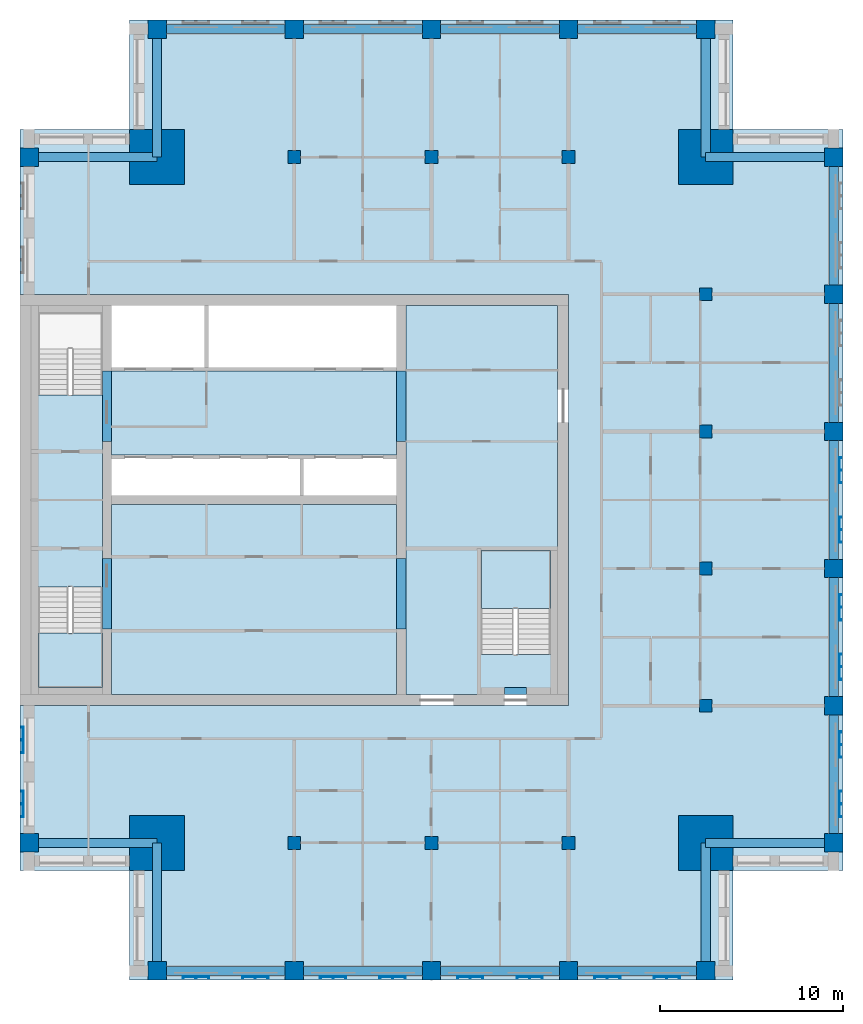
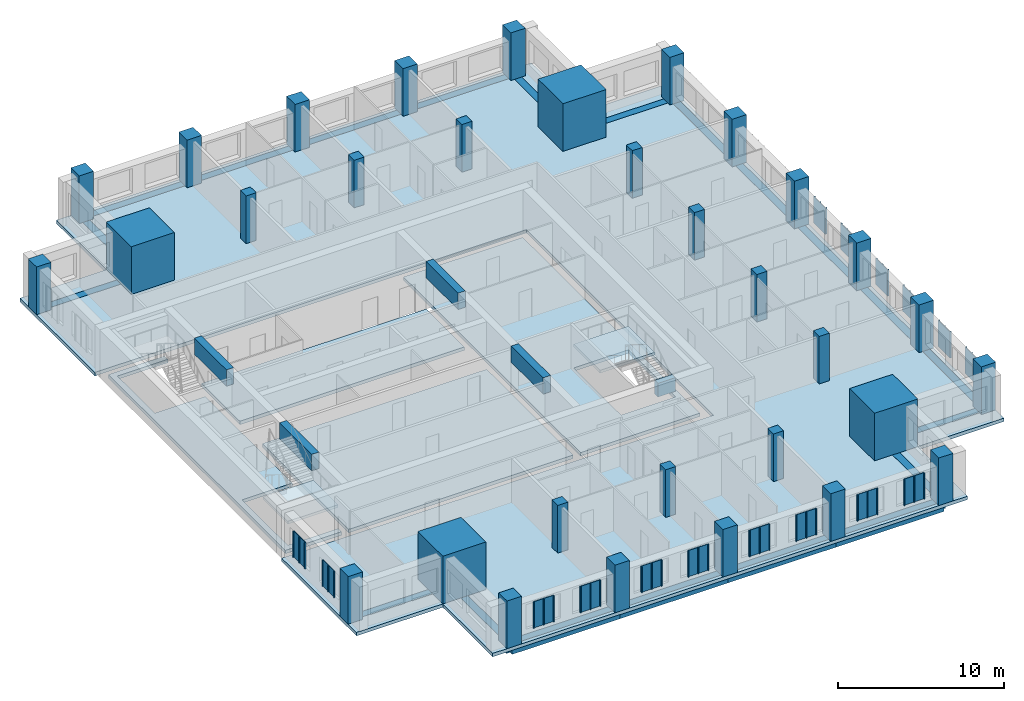
# One storey, part 1 of 10: 32 columns, 26 beams, 16 plates, 7 slabs, 2 elements without a shape of their own.
"""IFC4 building model written with IfcOpenShell, lengths in metres."""

from ifc_helpers import new_model, si_unit, direction, frame, origin, origin_2d, place, context, subcontext, project, spatial, polyline, rectangle, outline, extrude, material, layer, layer_set, material_profile, profile_set, type_object, element, aggregate, save


model = new_model("IFC4")

# Units and contexts
model_context = context("Model", 3, precision=1e-05, world=origin(), true_north=direction((0.0, 1.0)))
body_context = subcontext(model_context, "Body", "Model", "MODEL_VIEW")
ifc_project = project(units=[si_unit("LENGTHUNIT", "METRE"), si_unit("AREAUNIT", "SQUARE_METRE"), si_unit("VOLUMEUNIT", "CUBIC_METRE"), si_unit("PLANEANGLEUNIT", "RADIAN"), si_unit("MASSUNIT", "GRAM", prefix="KILO")], contexts=[model_context])

# Site, building, storey
site_placement = place(None, origin())
site = spatial("IfcSite", under=ifc_project, at=site_placement, CompositionType="ELEMENT")
building_placement = place(site_placement, origin())
building = spatial("IfcBuilding", under=site, at=building_placement, Name="Tamorin Gate", CompositionType="ELEMENT")
storey_placement = place(building_placement, frame((0.0, 0.0, 273.199951171875)))
storey = spatial("IfcBuildingStorey", under=building, at=storey_placement, Name="L68", CompositionType="ELEMENT", Elevation=273.199951171875)

# Columns
ifc_material_1 = material(Name="Concrete C50/60", Category="concrete")
ifc_material_profile_1 = material_profile(ifc_material_1, rectangle(XDim=1.0, YDim=1.0, at=origin_2d()), Name="RC 1000x1000")
ifc_profile_set_1 = profile_set([ifc_material_profile_1], Name="Concrete C50/60")
column_type_1 = type_object("IfcColumnType", Name="RC column 1000x1000 C50/60", PredefinedType="COLUMN", material=ifc_profile_set_1)
for number, where, z_axis, x_axis, name in (
    (1, (30.5, 52.5, 0.0), (0.0, 0.0, 1.0), (1.0, 0.0, 0.0), "Ring column L68"),
    (2, (30.5, 90.0, 0.0), (0.0, 0.0, 1.0), (1.0, 0.0, 0.0), "Ring column L68"),
    (3, (37.5, 45.5, 0.0), (0.0, 0.0, 1.0), (1.0, 0.0, 0.0), "Ring column L68"),
    (4, (37.5, 97.0, 0.0), (0.0, 0.0, 1.0), (1.0, 0.0, 0.0), "Ring column L68"),
    (5, (45.0, 45.5, 0.0), (0.0, 0.0, 1.0), (1.0, 0.0, 0.0), "Ring column L68"),
    (6, (45.0, 97.0, 0.0), (0.0, 0.0, 1.0), (1.0, 0.0, 0.0), "Ring column L68"),
    (7, (52.5, 45.5, 0.0), (0.0, 0.0, 1.0), (1.0, 0.0, 0.0), "Ring column L68"),
    (8, (52.5, 97.0, 0.0), (0.0, 0.0, 1.0), (1.0, 0.0, 0.0), "Ring column L68"),
    (9, (60.0, 45.5, 0.0), (0.0, 0.0, 1.0), (1.0, 0.0, 0.0), "Ring column L68"),
    (10, (60.0, 97.0, 0.0), (0.0, 0.0, 1.0), (1.0, 0.0, 0.0), "Ring column L68"),
    (11, (67.5, 45.5, 0.0), (0.0, 0.0, 1.0), (1.0, 0.0, 0.0), "Ring column L68"),
    (12, (67.5, 97.0, 0.0), (0.0, 0.0, 1.0), (1.0, 0.0, 0.0), "Ring column L68"),
    (13, (74.5, 52.5, 0.0), (0.0, 0.0, 1.0), (1.0, 0.0, 0.0), "Ring column L68"),
    (14, (74.5, 60.0, 0.0), (0.0, 0.0, 1.0), (1.0, 0.0, 0.0), "Ring column L68"),
    (15, (74.5, 67.5, 0.0), (0.0, 0.0, 1.0), (1.0, 0.0, 0.0), "Ring column L68"),
    (16, (74.5, 75.0, 0.0), (0.0, 0.0, 1.0), (1.0, 0.0, 0.0), "Ring column L68"),
    (17, (74.5, 82.5, 0.0), (0.0, 0.0, 1.0), (1.0, 0.0, 0.0), "Ring column L68"),
    (18, (74.5, 90.0, 0.0), (0.0, 0.0, 1.0), (1.0, 0.0, 0.0), "Ring column L68"),
):
    element("IfcColumn", number, at=place(storey_placement, frame(where, z_axis=z_axis, x_axis=x_axis)), inside=storey, type_object=column_type_1, Name=name, PredefinedType="COLUMN", context=body_context, shape_type="SweptSolid", body=[
        extrude(rectangle(XDim=1.0, YDim=1.0, at=origin_2d()), origin(), (0.0, 0.0, 1.0), 3.5),
    ])
ifc_material_profile_2 = material_profile(ifc_material_1, rectangle(XDim=3.0, YDim=3.0, at=origin_2d()), Name="RC 3000x3000")
ifc_profile_set_2 = profile_set([ifc_material_profile_2], Name="Concrete C50/60")
column_type_2 = type_object("IfcColumnType", Name="RC column 3000x3000 C50/60", PredefinedType="COLUMN", material=ifc_profile_set_2)
for number, where, z_axis, x_axis, name in (
    (19, (37.5, 52.5, 0.0), (0.0, 0.0, 1.0), (1.0, 0.0, 0.0), "Mega column SW L68"),
    (20, (67.5, 52.5, 0.0), (0.0, 0.0, 1.0), (1.0, 0.0, 0.0), "Mega column SE L68"),
    (21, (37.5, 90.0, 0.0), (0.0, 0.0, 1.0), (1.0, 0.0, 0.0), "Mega column NW L68"),
    (22, (67.5, 90.0, 0.0), (0.0, 0.0, 1.0), (1.0, 0.0, 0.0), "Mega column NE L68"),
):
    element("IfcColumn", number, at=place(storey_placement, frame(where, z_axis=z_axis, x_axis=x_axis)), inside=storey, type_object=column_type_2, Name=name, PredefinedType="COLUMN", context=body_context, shape_type="SweptSolid", body=[
        extrude(rectangle(XDim=3.0, YDim=3.0, at=origin_2d()), origin(), (0.0, 0.0, 1.0), 3.5),
    ])
ifc_material_profile_3 = material_profile(ifc_material_1, rectangle(XDim=0.699951171875, YDim=0.699951171875, at=origin_2d()), Name="RC 700x700")
ifc_profile_set_3 = profile_set([ifc_material_profile_3], Name="Concrete C50/60")
column_type_3 = type_object("IfcColumnType", Name="RC column 700x700 C50/60", PredefinedType="COLUMN", material=ifc_profile_set_3)
for number, where, z_axis, x_axis, name in (
    (23, (45.0, 52.5, 0.0), (0.0, 0.0, 1.0), (1.0, 0.0, 0.0), "Interior column L68"),
    (24, (45.0, 90.0, 0.0), (0.0, 0.0, 1.0), (1.0, 0.0, 0.0), "Interior column L68"),
    (25, (52.5, 52.5, 0.0), (0.0, 0.0, 1.0), (1.0, 0.0, 0.0), "Interior column L68"),
    (26, (52.5, 90.0, 0.0), (0.0, 0.0, 1.0), (1.0, 0.0, 0.0), "Interior column L68"),
    (27, (60.0, 52.5, 0.0), (0.0, 0.0, 1.0), (1.0, 0.0, 0.0), "Interior column L68"),
    (28, (60.0, 90.0, 0.0), (0.0, 0.0, 1.0), (1.0, 0.0, 0.0), "Interior column L68"),
    (29, (67.5, 60.0, 0.0), (0.0, 0.0, 1.0), (1.0, 0.0, 0.0), "Interior column L68"),
    (30, (67.5, 67.5, 0.0), (0.0, 0.0, 1.0), (1.0, 0.0, 0.0), "Interior column L68"),
    (31, (67.5, 75.0, 0.0), (0.0, 0.0, 1.0), (1.0, 0.0, 0.0), "Interior column L68"),
    (32, (67.5, 82.5, 0.0), (0.0, 0.0, 1.0), (1.0, 0.0, 0.0), "Interior column L68"),
):
    element("IfcColumn", number, at=place(storey_placement, frame(where, z_axis=z_axis, x_axis=x_axis)), inside=storey, type_object=column_type_3, Name=name, PredefinedType="COLUMN", context=body_context, shape_type="SweptSolid", body=[
        extrude(rectangle(XDim=0.699951171875, YDim=0.699951171875, at=origin_2d()), origin(), (0.0, 0.0, 1.0), 3.5),
    ])

# Beams
ifc_material_profile_4 = material_profile(ifc_material_1, rectangle(XDim=0.5, YDim=1.199951171875, at=origin_2d()), Name="RC 500x1200")
ifc_profile_set_4 = profile_set([ifc_material_profile_4], Name="Concrete C50/60")
beam_type_1 = type_object("IfcBeamType", Name="RC coupling beam 500x1200 C50/60", PredefinedType="BEAM", material=ifc_profile_set_4)
for number, where, z_axis, x_axis, name in (
    (33, (34.75, 64.199951171875, 2.900146484375), (0.0, 1.0, 0.0), (-1.0, 0.0, 0.0), "Coupling beam L68"),
    (34, (34.75, 74.449951171875, 2.900146484375), (0.0, 1.0, 0.0), (-1.0, 0.0, 0.0), "Coupling beam L68"),
    (35, (50.85009765625, 64.199951171875, 2.900146484375), (0.0, 1.0, 0.0), (-1.0, 0.0, 0.0), "Coupling beam L68"),
    (36, (50.85009765625, 74.449951171875, 2.900146484375), (0.0, 1.0, 0.0), (-1.0, 0.0, 0.0), "Coupling beam L68"),
):
    element("IfcBeam", number, at=place(storey_placement, frame(where, z_axis=z_axis, x_axis=x_axis)), inside=storey, type_object=beam_type_1, Name=name, PredefinedType="BEAM", context=body_context, shape_type="SweptSolid", body=[
        extrude(rectangle(XDim=0.5, YDim=1.199951171875, at=origin_2d()), origin(), (0.0, 0.0, 1.0), 3.85009765625),
    ])
ifc_material_profile_5 = material_profile(ifc_material_1, rectangle(XDim=0.5, YDim=0.75, at=origin_2d()), Name="RC 500x750")
ifc_profile_set_5 = profile_set([ifc_material_profile_5], Name="Concrete C50/60")
beam_type_2 = type_object("IfcBeamType", Name="RC spandrel 500x750 C50/60", PredefinedType="BEAM", material=ifc_profile_set_5)
for number, where, z_axis, x_axis, name in (
    (37, (37.5, 45.5, -0.375), (1.0, 0.0, 0.0), (0.0, 1.0, 0.0), "Spandrel beam L68"),
    (38, (45.0, 45.5, -0.375), (1.0, 0.0, 0.0), (0.0, 1.0, 0.0), "Spandrel beam L68"),
    (39, (52.5, 45.5, -0.375), (1.0, 0.0, 0.0), (0.0, 1.0, 0.0), "Spandrel beam L68"),
    (40, (60.0, 45.5, -0.375), (1.0, 0.0, 0.0), (0.0, 1.0, 0.0), "Spandrel beam L68"),
    (41, (74.5, 52.5, -0.375), (0.0, 1.0, 0.0), (-1.0, 0.0, 0.0), "Spandrel beam L68"),
    (42, (74.5, 60.0, -0.375), (0.0, 1.0, 0.0), (-1.0, 0.0, 0.0), "Spandrel beam L68"),
    (43, (74.5, 67.5, -0.375), (0.0, 1.0, 0.0), (-1.0, 0.0, 0.0), "Spandrel beam L68"),
    (44, (74.5, 75.0, -0.375), (0.0, 1.0, 0.0), (-1.0, 0.0, 0.0), "Spandrel beam L68"),
    (45, (74.5, 82.5, -0.375), (0.0, 1.0, 0.0), (-1.0, 0.0, 0.0), "Spandrel beam L68"),
    (46, (67.5, 97.0, -0.375), (-1.0, 0.0, 0.0), (0.0, -1.0, 0.0), "Spandrel beam L68"),
    (47, (60.0, 97.0, -0.375), (-1.0, 0.0, 0.0), (0.0, -1.0, 0.0), "Spandrel beam L68"),
    (48, (52.5, 97.0, -0.375), (-1.0, 0.0, 0.0), (0.0, -1.0, 0.0), "Spandrel beam L68"),
    (49, (45.0, 97.0, -0.375), (-1.0, 0.0, 0.0), (0.0, -1.0, 0.0), "Spandrel beam L68"),
):
    element("IfcBeam", number, at=place(storey_placement, frame(where, z_axis=z_axis, x_axis=x_axis)), inside=storey, type_object=beam_type_2, Name=name, PredefinedType="BEAM", context=body_context, shape_type="SweptSolid", body=[
        extrude(rectangle(XDim=0.5, YDim=0.75, at=origin_2d()), origin(), (0.0, 0.0, 1.0), 7.5),
    ])
for number, where, z_axis, x_axis, name in (
    (50, (37.5, 52.5, -0.375), (-1.0, 0.0, 0.0), (0.0, -1.0, 0.0), "Corner tie beam L68"),
    (51, (37.5, 52.5, -0.375), (0.0, -1.0, 0.0), (1.0, 0.0, 0.0), "Corner tie beam L68"),
    (52, (67.5, 52.5, -0.375), (0.0, -1.0, 0.0), (1.0, 0.0, 0.0), "Corner tie beam L68"),
    (53, (67.5, 52.5, -0.375), (1.0, 0.0, 0.0), (0.0, 1.0, 0.0), "Corner tie beam L68"),
    (54, (37.5, 90.0, -0.375), (-1.0, 0.0, 0.0), (0.0, -1.0, 0.0), "Corner tie beam L68"),
    (55, (37.5, 90.0, -0.375), (0.0, 1.0, 0.0), (-1.0, 0.0, 0.0), "Corner tie beam L68"),
    (56, (67.5, 90.0, -0.375), (0.0, 1.0, 0.0), (-1.0, 0.0, 0.0), "Corner tie beam L68"),
    (57, (67.5, 90.0, -0.375), (1.0, 0.0, 0.0), (0.0, 1.0, 0.0), "Corner tie beam L68"),
):
    element("IfcBeam", number, at=place(storey_placement, frame(where, z_axis=z_axis, x_axis=x_axis)), inside=storey, type_object=beam_type_2, Name=name, PredefinedType="BEAM", context=body_context, shape_type="SweptSolid", body=[
        extrude(rectangle(XDim=0.5, YDim=0.75, at=origin_2d()), origin(), (0.0, 0.0, 1.0), 7.0),
    ])
ifc_material_profile_6 = material_profile(ifc_material_1, rectangle(XDim=0.39990234375, YDim=1.0, at=origin_2d()))
ifc_profile_set_6 = profile_set([ifc_material_profile_6], Name="Concrete C50/60")
beam_type_3 = type_object("IfcBeamType", Name="Stair lintel 400x1000 C50/60", PredefinedType="BEAM", material=ifc_profile_set_6)
beam_placement = place(storey_placement, frame((56.5, 60.800048828125, 2.699951171875), z_axis=(1.0, 0.0, 0.0), x_axis=(0.0, 1.0, 0.0)))
element("IfcBeam", 58, at=beam_placement, inside=storey, type_object=beam_type_3, Name="Stair lintel", PredefinedType="BEAM", context=body_context, shape_type="SweptSolid", body=[
    extrude(rectangle(XDim=0.39990234375, YDim=1.0, at=origin_2d()), origin(), (0.0, 0.0, 1.0), 1.199951171875),
])

# Slabs
ifc_material_2 = material(Name="Concrete C40/50", Category="concrete")
ifc_layer_1 = layer(ifc_material_2, 0.25)
ifc_layer_set_1 = layer_set([ifc_layer_1], Name="Core floor slab 250 C40/50")
slab_type_1 = type_object("IfcSlabType", Name="Core floor slab 250 C40/50", PredefinedType="FLOOR", material=ifc_layer_set_1)
slab_1_placement = place(storey_placement, frame((0.0, 0.0, -0.25)))
element("IfcSlab", 59, at=slab_1_placement, inside=storey, type_object=slab_type_1, Name="Core floor L68", PredefinedType="FLOOR", context=body_context, shape_type="SweptSolid", body=[
    extrude(outline(polyline([(51.10009765625, 81.89990234375), (59.39990234375, 81.89990234375), (59.39990234375, 60.60009765625), (51.10009765625, 60.60009765625), (51.10009765625, 81.89990234375)]), holes=[polyline([(55.199951171875, 62.800048828125), (59.0, 62.800048828125), (59.0, 68.5), (55.199951171875, 68.5), (55.199951171875, 62.800048828125)])]), origin(), (0.0, 0.0, 1.0), 0.25),
])
slab_2_placement = place(storey_placement, frame((0.0, 0.0, -0.25)))
element("IfcSlab", 60, at=slab_2_placement, inside=storey, type_object=slab_type_1, Name="Core floor L68", PredefinedType="FLOOR", context=body_context, shape_type="SweptSolid", body=[
    extrude(outline(polyline([(50.60009765625, 71.0), (50.60009765625, 60.60009765625), (35.0, 60.60009765625), (35.0, 71.0), (50.60009765625, 71.0)])), origin(), (0.0, 0.0, 1.0), 0.25),
])
slab_3_placement = place(storey_placement, frame((0.0, 0.0, -0.25)))
element("IfcSlab", 61, at=slab_3_placement, inside=storey, type_object=slab_type_1, Name="Core floor L68", PredefinedType="FLOOR", context=body_context, shape_type="SweptSolid", body=[
    extrude(outline(polyline([(50.60009765625, 73.699951171875), (35.0, 73.699951171875), (35.0, 78.300048828125), (50.60009765625, 78.300048828125), (50.60009765625, 73.699951171875)])), origin(), (0.0, 0.0, 1.0), 0.25),
])
slab_4_placement = place(storey_placement, frame((0.0, 0.0, -0.25)))
element("IfcSlab", 62, at=slab_4_placement, inside=storey, type_object=slab_type_1, Name="Core floor L68", PredefinedType="FLOOR", context=body_context, shape_type="SweptSolid", body=[
    extrude(outline(polyline([(34.5, 60.60009765625), (30.60009765625, 60.60009765625), (30.60009765625, 81.89990234375), (34.5, 81.89990234375), (34.5, 81.5), (31.0, 81.5), (31.0, 77.0), (34.5, 77.0), (34.5, 66.5), (31.0, 66.5), (31.0, 61.0), (34.5, 61.0), (34.5, 60.60009765625)])), origin(), (0.0, 0.0, 1.0), 0.25),
])

# Stair, slab
stair_type = type_object("IfcStairType", Name="Exit stair", PredefinedType="HALF_TURN_STAIR", material=ifc_material_2)
stair_1_placement = place(storey_placement, origin())
stair_1 = element("IfcStair", 63, at=stair_1_placement, inside=storey, type_object=stair_type, Name="L68 stair ST1", PredefinedType="HALF_TURN_STAIR")
ifc_layer_2 = layer(ifc_material_2, 0.199951171875)
ifc_layer_set_2 = layer_set([ifc_layer_2], Name="Exit stair landing 200")
slab_type_2 = type_object("IfcSlabType", Name="Exit stair landing 200", PredefinedType="LANDING", material=ifc_layer_set_2)
slab_5_placement = place(storey_placement, frame((0.0, 0.0, 1.550048828125)))
slab_5 = element("IfcSlab", 64, at=slab_5_placement, type_object=slab_type_2, Name="ST1 landing 1", PredefinedType="LANDING", context=body_context, shape_type="SweptSolid", body=[
    extrude(outline(polyline([(31.0, 63.97998046875), (31.0, 61.0), (34.5, 61.0), (34.5, 63.97998046875), (31.0, 63.97998046875)])), origin(), (0.0, 0.0, 1.0), 0.199951171875),
])
aggregate(stair_1, [slab_5])

stair_2_placement = place(storey_placement, origin())
stair_2 = element("IfcStair", 65, at=stair_2_placement, inside=storey, type_object=stair_type, Name="L68 stair ST3", PredefinedType="HALF_TURN_STAIR")
slab_6_placement = place(storey_placement, frame((0.0, 0.0, 1.550048828125)))
slab_6 = element("IfcSlab", 66, at=slab_6_placement, type_object=slab_type_2, Name="ST3 landing 1", PredefinedType="LANDING", context=body_context, shape_type="SweptSolid", body=[
    extrude(outline(polyline([(59.0, 65.320068359375), (59.0, 68.5), (55.199951171875, 68.5), (55.199951171875, 65.320068359375), (59.0, 65.320068359375)])), origin(), (0.0, 0.0, 1.0), 0.199951171875),
])
aggregate(stair_2, [slab_6])

# Slab
ifc_layer_3 = layer(ifc_material_2, 0.25)
ifc_layer_set_3 = layer_set([ifc_layer_3], Name="Floor slab 250 C40/50")
slab_type_3 = type_object("IfcSlabType", Name="Floor slab 250 C40/50", PredefinedType="FLOOR", material=ifc_layer_set_3)
slab_7_placement = place(storey_placement, frame((0.0, 0.0, -0.25)))
element("IfcSlab", 67, at=slab_7_placement, inside=storey, type_object=slab_type_3, Name="Floor L68", PredefinedType="FLOOR", context=body_context, shape_type="SweptSolid", body=[
    extrude(outline(polyline([(30.0, 91.5), (36.0, 91.5), (36.0, 97.5), (69.0, 97.5), (69.0, 91.5), (75.0, 91.5), (75.0, 51.0), (69.0, 51.0), (69.0, 45.0), (36.0, 45.0), (36.0, 51.0), (30.0, 51.0), (30.0, 60.0), (60.0, 60.0), (60.0, 82.5), (30.0, 82.5), (30.0, 91.5)])), origin(), (0.0, 0.0, 1.0), 0.25),
])

# Plates
ifc_material_3 = material(Name="Perforated pale aluminium sheet", Category="aluminium")
ifc_layer_4 = layer(ifc_material_3, 0.0400390625)
ifc_layer_set_4 = layer_set([ifc_layer_4], Name="Pale metal solar screen 1440")
plate_type = type_object("IfcPlateType", Name="Pale metal solar screen 1440", PredefinedType="SHEET", material=ifc_layer_set_4)
plate_1_placement = place(storey_placement, frame((0.0, 0.0, 0.737548828125)))
element("IfcPlate", 68, at=plate_1_placement, inside=storey, type_object=plate_type, Name="Perforated solar screen", PredefinedType="SHEET", context=body_context, shape_type="SweptSolid", body=[
    extrude(outline(polyline([(38.905029296875, 45.159912109375), (38.905029296875, 45.199951171875), (38.965087890625, 45.199951171875), (39.594970703125, 45.199951171875), (39.655029296875, 45.199951171875), (40.284912109375, 45.199951171875), (40.344970703125, 45.199951171875), (40.344970703125, 45.199951171875), (40.344970703125, 45.159912109375), (40.344970703125, 45.159912109375), (40.344970703125, 45.10009765625), (40.284912109375, 45.10009765625), (40.284912109375, 45.159912109375), (39.655029296875, 45.159912109375), (39.655029296875, 45.10009765625), (39.594970703125, 45.10009765625), (39.594970703125, 45.159912109375), (38.965087890625, 45.159912109375), (38.965087890625, 45.10009765625), (38.905029296875, 45.10009765625), (38.905029296875, 45.159912109375)])), origin(), (0.0, 0.0, 1.0), 1.925048828125),
])
plate_2_placement = place(storey_placement, frame((0.0, 0.0, 0.737548828125)))
element("IfcPlate", 69, at=plate_2_placement, inside=storey, type_object=plate_type, Name="Perforated solar screen", PredefinedType="SHEET", context=body_context, shape_type="SweptSolid", body=[
    extrude(outline(polyline([(42.155029296875, 45.159912109375), (42.155029296875, 45.199951171875), (42.215087890625, 45.199951171875), (42.844970703125, 45.199951171875), (42.905029296875, 45.199951171875), (43.534912109375, 45.199951171875), (43.594970703125, 45.199951171875), (43.594970703125, 45.199951171875), (43.594970703125, 45.159912109375), (43.594970703125, 45.159912109375), (43.594970703125, 45.10009765625), (43.534912109375, 45.10009765625), (43.534912109375, 45.159912109375), (42.905029296875, 45.159912109375), (42.905029296875, 45.10009765625), (42.844970703125, 45.10009765625), (42.844970703125, 45.159912109375), (42.215087890625, 45.159912109375), (42.215087890625, 45.10009765625), (42.155029296875, 45.10009765625), (42.155029296875, 45.159912109375)])), origin(), (0.0, 0.0, 1.0), 1.925048828125),
])
plate_3_placement = place(storey_placement, frame((0.0, 0.0, 0.737548828125)))
element("IfcPlate", 70, at=plate_3_placement, inside=storey, type_object=plate_type, Name="Perforated solar screen", PredefinedType="SHEET", context=body_context, shape_type="SweptSolid", body=[
    extrude(outline(polyline([(46.405029296875, 45.159912109375), (46.405029296875, 45.199951171875), (46.465087890625, 45.199951171875), (47.094970703125, 45.199951171875), (47.155029296875, 45.199951171875), (47.784912109375, 45.199951171875), (47.844970703125, 45.199951171875), (47.844970703125, 45.159912109375), (47.844970703125, 45.10009765625), (47.784912109375, 45.10009765625), (47.784912109375, 45.159912109375), (47.155029296875, 45.159912109375), (47.155029296875, 45.10009765625), (47.094970703125, 45.10009765625), (47.094970703125, 45.159912109375), (46.465087890625, 45.159912109375), (46.465087890625, 45.10009765625), (46.405029296875, 45.10009765625), (46.405029296875, 45.159912109375)])), origin(), (0.0, 0.0, 1.0), 1.925048828125),
])
plate_4_placement = place(storey_placement, frame((0.0, 0.0, 0.737548828125)))
element("IfcPlate", 71, at=plate_4_placement, inside=storey, type_object=plate_type, Name="Perforated solar screen", PredefinedType="SHEET", context=body_context, shape_type="SweptSolid", body=[
    extrude(outline(polyline([(49.655029296875, 45.159912109375), (49.655029296875, 45.199951171875), (49.715087890625, 45.199951171875), (50.344970703125, 45.199951171875), (50.405029296875, 45.199951171875), (51.034912109375, 45.199951171875), (51.094970703125, 45.199951171875), (51.094970703125, 45.159912109375), (51.094970703125, 45.10009765625), (51.034912109375, 45.10009765625), (51.034912109375, 45.159912109375), (50.405029296875, 45.159912109375), (50.405029296875, 45.10009765625), (50.344970703125, 45.10009765625), (50.344970703125, 45.159912109375), (49.715087890625, 45.159912109375), (49.715087890625, 45.10009765625), (49.655029296875, 45.10009765625), (49.655029296875, 45.159912109375)])), origin(), (0.0, 0.0, 1.0), 1.925048828125),
])
plate_5_placement = place(storey_placement, frame((0.0, 0.0, 0.737548828125)))
element("IfcPlate", 72, at=plate_5_placement, inside=storey, type_object=plate_type, Name="Perforated solar screen", PredefinedType="SHEET", context=body_context, shape_type="SweptSolid", body=[
    extrude(outline(polyline([(53.905029296875, 45.159912109375), (53.905029296875, 45.199951171875), (53.965087890625, 45.199951171875), (54.594970703125, 45.199951171875), (54.655029296875, 45.199951171875), (55.284912109375, 45.199951171875), (55.344970703125, 45.199951171875), (55.344970703125, 45.159912109375), (55.344970703125, 45.10009765625), (55.284912109375, 45.10009765625), (55.284912109375, 45.159912109375), (54.655029296875, 45.159912109375), (54.655029296875, 45.10009765625), (54.594970703125, 45.10009765625), (54.594970703125, 45.159912109375), (53.965087890625, 45.159912109375), (53.965087890625, 45.10009765625), (53.905029296875, 45.10009765625), (53.905029296875, 45.159912109375)])), origin(), (0.0, 0.0, 1.0), 1.925048828125),
])
plate_6_placement = place(storey_placement, frame((0.0, 0.0, 0.737548828125)))
element("IfcPlate", 73, at=plate_6_placement, inside=storey, type_object=plate_type, Name="Perforated solar screen", PredefinedType="SHEET", context=body_context, shape_type="SweptSolid", body=[
    extrude(outline(polyline([(57.155029296875, 45.159912109375), (57.155029296875, 45.199951171875), (57.215087890625, 45.199951171875), (57.844970703125, 45.199951171875), (57.905029296875, 45.199951171875), (58.534912109375, 45.199951171875), (58.594970703125, 45.199951171875), (58.594970703125, 45.159912109375), (58.594970703125, 45.10009765625), (58.534912109375, 45.10009765625), (58.534912109375, 45.159912109375), (57.905029296875, 45.159912109375), (57.905029296875, 45.10009765625), (57.844970703125, 45.10009765625), (57.844970703125, 45.159912109375), (57.215087890625, 45.159912109375), (57.215087890625, 45.10009765625), (57.155029296875, 45.10009765625), (57.155029296875, 45.159912109375)])), origin(), (0.0, 0.0, 1.0), 1.925048828125),
])
plate_7_placement = place(storey_placement, frame((0.0, 0.0, 0.737548828125)))
element("IfcPlate", 74, at=plate_7_placement, inside=storey, type_object=plate_type, Name="Perforated solar screen", PredefinedType="SHEET", context=body_context, shape_type="SweptSolid", body=[
    extrude(outline(polyline([(61.405029296875, 45.159912109375), (61.405029296875, 45.199951171875), (61.465087890625, 45.199951171875), (62.094970703125, 45.199951171875), (62.155029296875, 45.199951171875), (62.784912109375, 45.199951171875), (62.844970703125, 45.199951171875), (62.844970703125, 45.159912109375), (62.844970703125, 45.10009765625), (62.784912109375, 45.10009765625), (62.784912109375, 45.159912109375), (62.155029296875, 45.159912109375), (62.155029296875, 45.10009765625), (62.094970703125, 45.10009765625), (62.094970703125, 45.159912109375), (61.465087890625, 45.159912109375), (61.465087890625, 45.10009765625), (61.405029296875, 45.10009765625), (61.405029296875, 45.159912109375)])), origin(), (0.0, 0.0, 1.0), 1.925048828125),
])
plate_8_placement = place(storey_placement, frame((0.0, 0.0, 0.737548828125)))
element("IfcPlate", 75, at=plate_8_placement, inside=storey, type_object=plate_type, Name="Perforated solar screen", PredefinedType="SHEET", context=body_context, shape_type="SweptSolid", body=[
    extrude(outline(polyline([(64.655029296875, 45.159912109375), (64.655029296875, 45.199951171875), (64.715087890625, 45.199951171875), (65.344970703125, 45.199951171875), (65.405029296875, 45.199951171875), (66.034912109375, 45.199951171875), (66.094970703125, 45.199951171875), (66.094970703125, 45.159912109375), (66.094970703125, 45.10009765625), (66.034912109375, 45.10009765625), (66.034912109375, 45.159912109375), (65.405029296875, 45.159912109375), (65.405029296875, 45.10009765625), (65.344970703125, 45.10009765625), (65.344970703125, 45.159912109375), (64.715087890625, 45.159912109375), (64.715087890625, 45.10009765625), (64.655029296875, 45.10009765625), (64.655029296875, 45.159912109375)])), origin(), (0.0, 0.0, 1.0), 1.925048828125),
])
plate_9_placement = place(storey_placement, frame((0.0, 0.0, 0.737548828125)))
element("IfcPlate", 76, at=plate_9_placement, inside=storey, type_object=plate_type, Name="Perforated solar screen", PredefinedType="SHEET", context=body_context, shape_type="SweptSolid", body=[
    extrude(outline(polyline([(74.840087890625, 53.905029296875), (74.800048828125, 53.905029296875), (74.800048828125, 53.965087890625), (74.800048828125, 54.594970703125), (74.800048828125, 54.655029296875), (74.800048828125, 55.284912109375), (74.800048828125, 55.344970703125), (74.800048828125, 55.344970703125), (74.840087890625, 55.344970703125), (74.840087890625, 55.344970703125), (74.89990234375, 55.344970703125), (74.89990234375, 55.284912109375), (74.840087890625, 55.284912109375), (74.840087890625, 54.655029296875), (74.89990234375, 54.655029296875), (74.89990234375, 54.594970703125), (74.840087890625, 54.594970703125), (74.840087890625, 53.965087890625), (74.89990234375, 53.965087890625), (74.89990234375, 53.905029296875), (74.840087890625, 53.905029296875)])), origin(), (0.0, 0.0, 1.0), 1.925048828125),
])
plate_10_placement = place(storey_placement, frame((0.0, 0.0, 0.737548828125)))
element("IfcPlate", 77, at=plate_10_placement, inside=storey, type_object=plate_type, Name="Perforated solar screen", PredefinedType="SHEET", context=body_context, shape_type="SweptSolid", body=[
    extrude(outline(polyline([(74.840087890625, 57.155029296875), (74.800048828125, 57.155029296875), (74.800048828125, 57.215087890625), (74.800048828125, 57.844970703125), (74.800048828125, 57.905029296875), (74.800048828125, 58.534912109375), (74.800048828125, 58.594970703125), (74.800048828125, 58.594970703125), (74.840087890625, 58.594970703125), (74.840087890625, 58.594970703125), (74.89990234375, 58.594970703125), (74.89990234375, 58.534912109375), (74.840087890625, 58.534912109375), (74.840087890625, 57.905029296875), (74.89990234375, 57.905029296875), (74.89990234375, 57.844970703125), (74.840087890625, 57.844970703125), (74.840087890625, 57.215087890625), (74.89990234375, 57.215087890625), (74.89990234375, 57.155029296875), (74.840087890625, 57.155029296875)])), origin(), (0.0, 0.0, 1.0), 1.925048828125),
])
plate_11_placement = place(storey_placement, frame((0.0, 0.0, 0.737548828125)))
element("IfcPlate", 78, at=plate_11_placement, inside=storey, type_object=plate_type, Name="Perforated solar screen", PredefinedType="SHEET", context=body_context, shape_type="SweptSolid", body=[
    extrude(outline(polyline([(74.840087890625, 61.405029296875), (74.800048828125, 61.405029296875), (74.800048828125, 61.465087890625), (74.800048828125, 62.094970703125), (74.800048828125, 62.155029296875), (74.800048828125, 62.784912109375), (74.800048828125, 62.844970703125), (74.840087890625, 62.844970703125), (74.89990234375, 62.844970703125), (74.89990234375, 62.784912109375), (74.840087890625, 62.784912109375), (74.840087890625, 62.155029296875), (74.89990234375, 62.155029296875), (74.89990234375, 62.094970703125), (74.840087890625, 62.094970703125), (74.840087890625, 61.465087890625), (74.89990234375, 61.465087890625), (74.89990234375, 61.405029296875), (74.840087890625, 61.405029296875)])), origin(), (0.0, 0.0, 1.0), 1.925048828125),
])
plate_12_placement = place(storey_placement, frame((0.0, 0.0, 0.737548828125)))
element("IfcPlate", 79, at=plate_12_placement, inside=storey, type_object=plate_type, Name="Perforated solar screen", PredefinedType="SHEET", context=body_context, shape_type="SweptSolid", body=[
    extrude(outline(polyline([(74.840087890625, 64.655029296875), (74.800048828125, 64.655029296875), (74.800048828125, 64.715087890625), (74.800048828125, 65.344970703125), (74.800048828125, 65.405029296875), (74.800048828125, 66.034912109375), (74.800048828125, 66.094970703125), (74.840087890625, 66.094970703125), (74.89990234375, 66.094970703125), (74.89990234375, 66.034912109375), (74.840087890625, 66.034912109375), (74.840087890625, 65.405029296875), (74.89990234375, 65.405029296875), (74.89990234375, 65.344970703125), (74.840087890625, 65.344970703125), (74.840087890625, 64.715087890625), (74.89990234375, 64.715087890625), (74.89990234375, 64.655029296875), (74.840087890625, 64.655029296875)])), origin(), (0.0, 0.0, 1.0), 1.925048828125),
])
plate_13_placement = place(storey_placement, frame((0.0, 0.0, 0.737548828125)))
element("IfcPlate", 80, at=plate_13_placement, inside=storey, type_object=plate_type, Name="Perforated solar screen", PredefinedType="SHEET", context=body_context, shape_type="SweptSolid", body=[
    extrude(outline(polyline([(74.840087890625, 68.905029296875), (74.800048828125, 68.905029296875), (74.800048828125, 68.965087890625), (74.800048828125, 69.594970703125), (74.800048828125, 69.655029296875), (74.800048828125, 70.284912109375), (74.800048828125, 70.344970703125), (74.840087890625, 70.344970703125), (74.89990234375, 70.344970703125), (74.89990234375, 70.284912109375), (74.840087890625, 70.284912109375), (74.840087890625, 69.655029296875), (74.89990234375, 69.655029296875), (74.89990234375, 69.594970703125), (74.840087890625, 69.594970703125), (74.840087890625, 68.965087890625), (74.89990234375, 68.965087890625), (74.89990234375, 68.905029296875), (74.840087890625, 68.905029296875)])), origin(), (0.0, 0.0, 1.0), 1.925048828125),
])
plate_14_placement = place(storey_placement, frame((0.0, 0.0, 0.737548828125)))
element("IfcPlate", 81, at=plate_14_placement, inside=storey, type_object=plate_type, Name="Perforated solar screen", PredefinedType="SHEET", context=body_context, shape_type="SweptSolid", body=[
    extrude(outline(polyline([(74.840087890625, 72.155029296875), (74.800048828125, 72.155029296875), (74.800048828125, 72.215087890625), (74.800048828125, 72.844970703125), (74.800048828125, 72.905029296875), (74.800048828125, 73.534912109375), (74.800048828125, 73.594970703125), (74.840087890625, 73.594970703125), (74.89990234375, 73.594970703125), (74.89990234375, 73.534912109375), (74.840087890625, 73.534912109375), (74.840087890625, 72.905029296875), (74.89990234375, 72.905029296875), (74.89990234375, 72.844970703125), (74.840087890625, 72.844970703125), (74.840087890625, 72.215087890625), (74.89990234375, 72.215087890625), (74.89990234375, 72.155029296875), (74.840087890625, 72.155029296875)])), origin(), (0.0, 0.0, 1.0), 1.925048828125),
])
plate_15_placement = place(storey_placement, frame((0.0, 0.0, 0.737548828125)))
element("IfcPlate", 82, at=plate_15_placement, inside=storey, type_object=plate_type, Name="Perforated solar screen", PredefinedType="SHEET", context=body_context, shape_type="SweptSolid", body=[
    extrude(outline(polyline([(30.159912109375, 55.344970703125), (30.199951171875, 55.344970703125), (30.199951171875, 55.284912109375), (30.199951171875, 54.655029296875), (30.199951171875, 54.594970703125), (30.199951171875, 53.965087890625), (30.199951171875, 53.905029296875), (30.159912109375, 53.905029296875), (30.10009765625, 53.905029296875), (30.10009765625, 53.965087890625), (30.159912109375, 53.965087890625), (30.159912109375, 54.594970703125), (30.10009765625, 54.594970703125), (30.10009765625, 54.655029296875), (30.159912109375, 54.655029296875), (30.159912109375, 55.284912109375), (30.10009765625, 55.284912109375), (30.10009765625, 55.344970703125), (30.159912109375, 55.344970703125)])), origin(), (0.0, 0.0, 1.0), 1.925048828125),
])
plate_16_placement = place(storey_placement, frame((0.0, 0.0, 0.737548828125)))
element("IfcPlate", 83, at=plate_16_placement, inside=storey, type_object=plate_type, Name="Perforated solar screen", PredefinedType="SHEET", context=body_context, shape_type="SweptSolid", body=[
    extrude(outline(polyline([(30.159912109375, 58.844970703125), (30.199951171875, 58.844970703125), (30.199951171875, 58.784912109375), (30.199951171875, 58.155029296875), (30.199951171875, 58.094970703125), (30.199951171875, 57.465087890625), (30.199951171875, 57.405029296875), (30.159912109375, 57.405029296875), (30.10009765625, 57.405029296875), (30.10009765625, 57.465087890625), (30.159912109375, 57.465087890625), (30.159912109375, 58.094970703125), (30.10009765625, 58.094970703125), (30.10009765625, 58.155029296875), (30.159912109375, 58.155029296875), (30.159912109375, 58.784912109375), (30.10009765625, 58.784912109375), (30.10009765625, 58.844970703125), (30.159912109375, 58.844970703125)])), origin(), (0.0, 0.0, 1.0), 1.925048828125),
])

save(model, "model.ifc")
